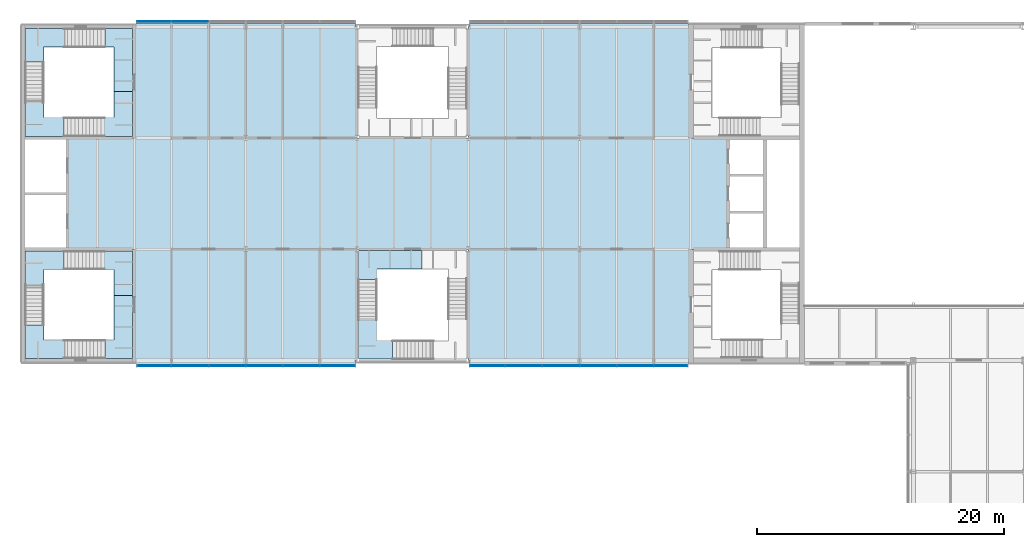
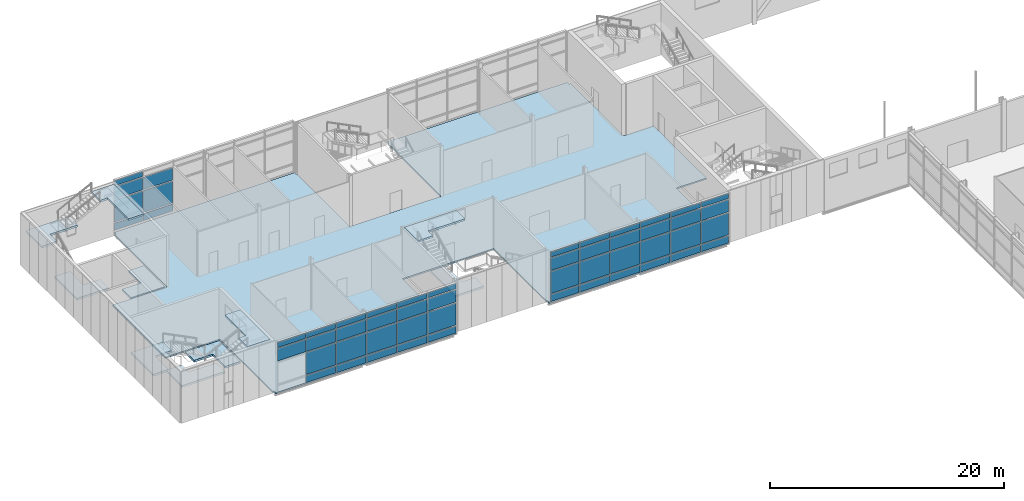
# One storey, part 31 of 56: 53 plates, 11 slabs, 6 elements without a shape of their own.
"""IFC4 building model written with IfcOpenShell, lengths in metres."""

from ifc_helpers import new_model, si_unit, direction, frame, origin, origin_2d, place, context, subcontext, project, spatial, polyline, rectangle, outline, extrude, material, layer, layer_set, type_object, element, aggregate, save


model = new_model("IFC4")

# Units and contexts
model_context = context("Model", 3, precision=1e-05, world=origin(), true_north=direction((0.0, 1.0)))
body_context = subcontext(model_context, "Body", "Model", "MODEL_VIEW")
ifc_project = project(units=[si_unit("LENGTHUNIT", "METRE"), si_unit("AREAUNIT", "SQUARE_METRE"), si_unit("VOLUMEUNIT", "CUBIC_METRE"), si_unit("PLANEANGLEUNIT", "RADIAN"), si_unit("MASSUNIT", "GRAM", prefix="KILO")], contexts=[model_context])

# Site, building, storey
site_placement = place(None, origin())
site = spatial("IfcSite", under=ifc_project, at=site_placement, CompositionType="ELEMENT")
building_placement = place(site_placement, origin())
building = spatial("IfcBuilding", under=site, at=building_placement, Name="Azimuth Sports and Learning Centre", CompositionType="ELEMENT")
storey_placement = place(building_placement, frame((0.0, 0.0, 5.39990234375)))
storey = spatial("IfcBuildingStorey", under=building, at=storey_placement, Name="L01", CompositionType="ELEMENT", Elevation=5.39990234375)

# Slab
ifc_material_1 = material(Name="Concrete C30/37", Category="concrete")
ifc_layer_1 = layer(ifc_material_1, 0.14990234375)
ifc_layer_set_1 = layer_set([ifc_layer_1], Name="Concrete C30/37")
slab_type_1 = type_object("IfcSlabType", Name="Composite floor slab 150", PredefinedType="FLOOR", material=ifc_layer_set_1)
slab_1_placement = place(storey_placement, frame((0.0, 0.0, -0.14990234375)))
element("IfcSlab", 1, at=slab_1_placement, inside=storey, type_object=slab_type_1, Name="Slab West wing L01", PredefinedType="FLOOR", context=body_context, shape_type="SweptSolid", body=[
    extrude(outline(polyline([(9.14990234375, 89.699951171875), (26.89990234375, 89.699951171875), (26.89990234375, 90.0), (27.0, 90.0), (27.0, 99.0), (36.0, 99.0), (36.0, 90.0), (36.10009765625, 90.0), (36.10009765625, 89.699951171875), (53.800048828125, 89.699951171875), (53.800048828125, 90.0), (54.0, 90.0), (54.0, 99.0), (57.0, 99.0), (57.0, 108.0), (54.0, 108.0), (54.0, 117.0), (53.800048828125, 117.0), (53.800048828125, 117.300048828125), (36.10009765625, 117.300048828125), (36.10009765625, 117.0), (36.0, 117.0), (36.0, 108.0), (27.0, 108.0), (27.0, 117.0), (26.89990234375, 117.0), (26.89990234375, 117.300048828125), (9.14990234375, 117.300048828125), (9.14990234375, 117.0), (9.0, 117.0), (9.0, 108.0), (3.60009765625, 108.0), (3.60009765625, 99.0), (9.0, 99.0), (9.0, 90.0), (9.14990234375, 90.0), (9.14990234375, 89.699951171875)])), origin(), (0.0, 0.0, 1.0), 0.14990234375),
])

# Stair, slabs
ifc_material_2 = material(Name="Concrete C32/40", Category="concrete")
stair_type_1 = type_object("IfcStairType", Name="Square-well stair end core 5400 storey", PredefinedType="THREE_QUARTER_TURN_STAIR", material=ifc_material_2)
stair_1_placement = place(storey_placement, origin())
stair_1 = element("IfcStair", 2, at=stair_1_placement, inside=storey, type_object=stair_type_1, Name="Stair WW1 L01-L02", PredefinedType="THREE_QUARTER_TURN_STAIR")
ifc_material_3 = material(Name="Concrete C32/40", Category="concrete")
ifc_layer_2 = layer(ifc_material_3, 0.199951171875)
ifc_layer_set_2 = layer_set([ifc_layer_2], Name="Concrete C32/40")
slab_type_2 = type_object("IfcSlabType", Name="Concrete stair landing", PredefinedType="LANDING", material=ifc_layer_set_2)
slab_2_placement = place(storey_placement, frame((0.0, 0.0, -0.199951171875)))
slab_2 = element("IfcSlab", 3, at=slab_2_placement, type_object=slab_type_2, Name="Stair WW1 L01 landing 1", PredefinedType="LANDING", context=body_context, shape_type="SweptSolid", body=[
    extrude(outline(polyline([(5.489990234375, 97.364990234375), (7.340087890625, 97.364990234375), (7.340087890625, 95.25), (8.840087890625, 95.25), (8.840087890625, 98.864990234375), (5.489990234375, 98.864990234375), (5.489990234375, 97.364990234375)])), origin(), (0.0, 0.0, 1.0), 0.199951171875),
])
slab_3_placement = place(storey_placement, frame((0.0, 0.0, 1.60009765625)))
slab_3 = element("IfcSlab", 4, at=slab_3_placement, type_object=slab_type_2, Name="Stair WW1 L01 landing 2", PredefinedType="LANDING", context=body_context, shape_type="SweptSolid", body=[
    extrude(outline(polyline([(1.659912109375, 97.364990234375), (3.290771484375, 97.364990234375), (3.290771484375, 98.864990234375), (0.159912109375, 98.864990234375), (0.159912109375, 95.06494140625), (1.659912109375, 95.06494140625), (1.659912109375, 97.364990234375)])), origin(), (0.0, 0.0, 1.0), 0.199951171875),
])
slab_4_placement = place(storey_placement, frame((0.0, 0.0, 3.400146484375)))
slab_4 = element("IfcSlab", 5, at=slab_4_placement, type_object=slab_type_2, Name="Stair WW1 L01 landing 3", PredefinedType="LANDING", context=body_context, shape_type="SweptSolid", body=[
    extrude(outline(polyline([(1.659912109375, 91.659912109375), (1.659912109375, 92.86572265625), (0.159912109375, 92.86572265625), (0.159912109375, 90.159912109375), (4.409912109375, 90.159912109375), (4.409912109375, 91.659912109375), (1.659912109375, 91.659912109375)])), origin(), (0.0, 0.0, 1.0), 0.199951171875),
])
slab_5_placement = place(storey_placement, frame((0.0, 0.0, 5.2001953125)))
slab_5 = element("IfcSlab", 6, at=slab_5_placement, type_object=slab_type_2, Name="Stair WW1 L01 landing 4", PredefinedType="LANDING", context=body_context, shape_type="SweptSolid", body=[
    extrude(outline(polyline([(7.340087890625, 91.659912109375), (6.609375, 91.659912109375), (6.609375, 90.159912109375), (8.840087890625, 90.159912109375), (8.840087890625, 95.25), (7.340087890625, 95.25), (7.340087890625, 91.659912109375)])), origin(), (0.0, 0.0, 1.0), 0.199951171875),
])
aggregate(stair_1, [slab_2, slab_3, slab_4, slab_5])

stair_2_placement = place(storey_placement, origin())
stair_2 = element("IfcStair", 7, at=stair_2_placement, inside=storey, type_object=stair_type_1, Name="Stair WW2 L01-L02", PredefinedType="THREE_QUARTER_TURN_STAIR")
slab_6_placement = place(storey_placement, frame((0.0, 0.0, -0.199951171875)))
slab_6 = element("IfcSlab", 8, at=slab_6_placement, type_object=slab_type_2, Name="Stair WW2 L01 landing 1", PredefinedType="LANDING", context=body_context, shape_type="SweptSolid", body=[
    extrude(outline(polyline([(8.840087890625, 108.135009765625), (8.840087890625, 111.75), (7.340087890625, 111.75), (7.340087890625, 109.635009765625), (5.489990234375, 109.635009765625), (5.489990234375, 108.135009765625), (8.840087890625, 108.135009765625)])), origin(), (0.0, 0.0, 1.0), 0.199951171875),
])
slab_7_placement = place(storey_placement, frame((0.0, 0.0, 1.60009765625)))
slab_7 = element("IfcSlab", 9, at=slab_7_placement, type_object=slab_type_2, Name="Stair WW2 L01 landing 2", PredefinedType="LANDING", context=body_context, shape_type="SweptSolid", body=[
    extrude(outline(polyline([(1.659912109375, 109.635009765625), (1.659912109375, 111.93505859375), (0.159912109375, 111.93505859375), (0.159912109375, 108.135009765625), (3.290771484375, 108.135009765625), (3.290771484375, 109.635009765625), (1.659912109375, 109.635009765625)])), origin(), (0.0, 0.0, 1.0), 0.199951171875),
])
slab_8_placement = place(storey_placement, frame((0.0, 0.0, 3.400146484375)))
slab_8 = element("IfcSlab", 10, at=slab_8_placement, type_object=slab_type_2, Name="Stair WW2 L01 landing 3", PredefinedType="LANDING", context=body_context, shape_type="SweptSolid", body=[
    extrude(outline(polyline([(1.659912109375, 115.340087890625), (4.409912109375, 115.340087890625), (4.409912109375, 116.840087890625), (0.159912109375, 116.840087890625), (0.159912109375, 114.13427734375), (1.659912109375, 114.13427734375), (1.659912109375, 115.340087890625)])), origin(), (0.0, 0.0, 1.0), 0.199951171875),
])
slab_9_placement = place(storey_placement, frame((0.0, 0.0, 5.2001953125)))
slab_9 = element("IfcSlab", 11, at=slab_9_placement, type_object=slab_type_2, Name="Stair WW2 L01 landing 4", PredefinedType="LANDING", context=body_context, shape_type="SweptSolid", body=[
    extrude(outline(polyline([(7.340087890625, 115.340087890625), (7.340087890625, 111.75), (8.840087890625, 111.75), (8.840087890625, 116.840087890625), (6.609375, 116.840087890625), (6.609375, 115.340087890625), (7.340087890625, 115.340087890625)])), origin(), (0.0, 0.0, 1.0), 0.199951171875),
])
aggregate(stair_2, [slab_6, slab_7, slab_8, slab_9])

ifc_material_4 = material(Name="Concrete C32/40", Category="concrete")
stair_type_2 = type_object("IfcStairType", Name="Square-well stair mid-wing cell 5400 storey", PredefinedType="THREE_QUARTER_TURN_STAIR", material=ifc_material_4)
stair_3_placement = place(storey_placement, origin())
stair_3 = element("IfcStair", 12, at=stair_3_placement, inside=storey, type_object=stair_type_2, Name="Stair WM1 L01-L02", PredefinedType="THREE_QUARTER_TURN_STAIR")
slab_10_placement = place(storey_placement, frame((0.0, 0.0, 3.400146484375)))
slab_10 = element("IfcSlab", 13, at=slab_10_placement, type_object=slab_type_2, Name="Stair WM1 L01 landing 3", PredefinedType="LANDING", context=body_context, shape_type="SweptSolid", body=[
    extrude(outline(polyline([(28.610107421875, 91.610107421875), (28.610107421875, 94.360107421875), (27.110107421875, 94.360107421875), (27.110107421875, 90.110107421875), (29.890625, 90.110107421875), (29.890625, 91.610107421875), (28.610107421875, 91.610107421875)])), origin(), (0.0, 0.0, 1.0), 0.199951171875),
])
slab_11_placement = place(storey_placement, frame((0.0, 0.0, 5.2001953125)))
slab_11 = element("IfcSlab", 14, at=slab_11_placement, type_object=slab_type_2, Name="Stair WM1 L01 landing 4", PredefinedType="LANDING", context=body_context, shape_type="SweptSolid", body=[
    extrude(outline(polyline([(28.610107421875, 97.389892578125), (32.25, 97.389892578125), (32.25, 98.889892578125), (27.110107421875, 98.889892578125), (27.110107421875, 96.559326171875), (28.610107421875, 96.559326171875), (28.610107421875, 97.389892578125)])), origin(), (0.0, 0.0, 1.0), 0.199951171875),
])
aggregate(stair_3, [slab_10, slab_11])

# Curtain wall, plates
ifc_material_5 = material(Name="Aluminium and glass", Category="aluminium")
curtain_wall_type = type_object("IfcCurtainWallType", Name="Curtain wall podium wing 240", PredefinedType="NOTDEFINED", material=ifc_material_5)
curtain_wall_1_placement = place(storey_placement, origin())
curtain_wall_1 = element("IfcCurtainWall", 15, at=curtain_wall_1_placement, inside=storey, type_object=curtain_wall_type, Name="Curtain wall CW01-001", PredefinedType="NOTDEFINED")
ifc_material_6 = material(Name="Insulated aluminium panel", Category="aluminium")
ifc_layer_3 = layer(ifc_material_6, 0.06005859375)
ifc_layer_set_3 = layer_set([ifc_layer_3], Name="Insulated aluminium panel")
plate_type_1 = type_object("IfcPlateType", Name="Spandrel panel 60 mm", PredefinedType="CURTAIN_PANEL", material=ifc_layer_set_3)
plate_1_placement = place(storey_placement, frame((10.594970703125, 89.580078125, 4.760009765625), z_axis=(0.0, 0.0, 1.0), x_axis=(1.0, 0.0, 0.0)))
plate_1 = element("IfcPlate", 16, at=plate_1_placement, type_object=plate_type_1, Name="CW01-001 panel 1.4", PredefinedType="CURTAIN_PANEL", context=body_context, shape_type="SweptSolid", body=[
    extrude(rectangle(XDim=2.72998046875, YDim=0.06005859375, at=origin_2d()), origin(), (0.0, 0.0, 1.0), 0.52001953125),
])
plate_2_placement = place(storey_placement, frame((13.5, 89.580078125, 0.1201171875), z_axis=(0.0, 0.0, 1.0), x_axis=(1.0, 0.0, 0.0)))
plate_2 = element("IfcPlate", 17, at=plate_2_placement, type_object=plate_type_1, Name="CW01-001 panel 2.1", PredefinedType="CURTAIN_PANEL", context=body_context, shape_type="SweptSolid", body=[
    extrude(rectangle(XDim=2.919921875, YDim=0.06005859375, at=origin_2d()), origin(), (0.0, 0.0, 1.0), 0.719970703125),
])
plate_3_placement = place(storey_placement, frame((13.5, 89.580078125, 4.760009765625), z_axis=(0.0, 0.0, 1.0), x_axis=(1.0, 0.0, 0.0)))
plate_3 = element("IfcPlate", 18, at=plate_3_placement, type_object=plate_type_1, Name="CW01-001 panel 2.4", PredefinedType="CURTAIN_PANEL", context=body_context, shape_type="SweptSolid", body=[
    extrude(rectangle(XDim=2.919921875, YDim=0.06005859375, at=origin_2d()), origin(), (0.0, 0.0, 1.0), 0.52001953125),
])
plate_4_placement = place(storey_placement, frame((16.5, 89.580078125, 0.1201171875), z_axis=(0.0, 0.0, 1.0), x_axis=(1.0, 0.0, 0.0)))
plate_4 = element("IfcPlate", 19, at=plate_4_placement, type_object=plate_type_1, Name="CW01-001 panel 3.1", PredefinedType="CURTAIN_PANEL", context=body_context, shape_type="SweptSolid", body=[
    extrude(rectangle(XDim=2.919921875, YDim=0.06005859375, at=origin_2d()), origin(), (0.0, 0.0, 1.0), 0.719970703125),
])
plate_5_placement = place(storey_placement, frame((16.5, 89.580078125, 4.760009765625), z_axis=(0.0, 0.0, 1.0), x_axis=(1.0, 0.0, 0.0)))
plate_5 = element("IfcPlate", 20, at=plate_5_placement, type_object=plate_type_1, Name="CW01-001 panel 3.4", PredefinedType="CURTAIN_PANEL", context=body_context, shape_type="SweptSolid", body=[
    extrude(rectangle(XDim=2.919921875, YDim=0.06005859375, at=origin_2d()), origin(), (0.0, 0.0, 1.0), 0.52001953125),
])
plate_6_placement = place(storey_placement, frame((19.5, 89.580078125, 0.1201171875), z_axis=(0.0, 0.0, 1.0), x_axis=(1.0, 0.0, 0.0)))
plate_6 = element("IfcPlate", 21, at=plate_6_placement, type_object=plate_type_1, Name="CW01-001 panel 4.1", PredefinedType="CURTAIN_PANEL", context=body_context, shape_type="SweptSolid", body=[
    extrude(rectangle(XDim=2.919921875, YDim=0.06005859375, at=origin_2d()), origin(), (0.0, 0.0, 1.0), 0.719970703125),
])
plate_7_placement = place(storey_placement, frame((19.5, 89.580078125, 4.760009765625), z_axis=(0.0, 0.0, 1.0), x_axis=(1.0, 0.0, 0.0)))
plate_7 = element("IfcPlate", 22, at=plate_7_placement, type_object=plate_type_1, Name="CW01-001 panel 4.4", PredefinedType="CURTAIN_PANEL", context=body_context, shape_type="SweptSolid", body=[
    extrude(rectangle(XDim=2.919921875, YDim=0.06005859375, at=origin_2d()), origin(), (0.0, 0.0, 1.0), 0.52001953125),
])
plate_8_placement = place(storey_placement, frame((22.5, 89.580078125, 0.1201171875), z_axis=(0.0, 0.0, 1.0), x_axis=(1.0, 0.0, 0.0)))
plate_8 = element("IfcPlate", 23, at=plate_8_placement, type_object=plate_type_1, Name="CW01-001 panel 5.1", PredefinedType="CURTAIN_PANEL", context=body_context, shape_type="SweptSolid", body=[
    extrude(rectangle(XDim=2.919921875, YDim=0.06005859375, at=origin_2d()), origin(), (0.0, 0.0, 1.0), 0.719970703125),
])
plate_9_placement = place(storey_placement, frame((22.5, 89.580078125, 4.760009765625), z_axis=(0.0, 0.0, 1.0), x_axis=(1.0, 0.0, 0.0)))
plate_9 = element("IfcPlate", 24, at=plate_9_placement, type_object=plate_type_1, Name="CW01-001 panel 5.4", PredefinedType="CURTAIN_PANEL", context=body_context, shape_type="SweptSolid", body=[
    extrude(rectangle(XDim=2.919921875, YDim=0.06005859375, at=origin_2d()), origin(), (0.0, 0.0, 1.0), 0.52001953125),
])
plate_10_placement = place(storey_placement, frame((25.429931640625, 89.580078125, 0.1201171875), z_axis=(0.0, 0.0, 1.0), x_axis=(1.0, 0.0, 0.0)))
plate_10 = element("IfcPlate", 25, at=plate_10_placement, type_object=plate_type_1, Name="CW01-001 panel 6.1", PredefinedType="CURTAIN_PANEL", context=body_context, shape_type="SweptSolid", body=[
    extrude(rectangle(XDim=2.780029296875, YDim=0.06005859375, at=origin_2d()), origin(), (0.0, 0.0, 1.0), 0.719970703125),
])
plate_11_placement = place(storey_placement, frame((25.429931640625, 89.580078125, 4.760009765625), z_axis=(0.0, 0.0, 1.0), x_axis=(1.0, 0.0, 0.0)))
plate_11 = element("IfcPlate", 26, at=plate_11_placement, type_object=plate_type_1, Name="CW01-001 panel 6.4", PredefinedType="CURTAIN_PANEL", context=body_context, shape_type="SweptSolid", body=[
    extrude(rectangle(XDim=2.780029296875, YDim=0.06005859375, at=origin_2d()), origin(), (0.0, 0.0, 1.0), 0.52001953125),
])

curtain_wall_2_placement = place(storey_placement, origin())
curtain_wall_2 = element("IfcCurtainWall", 27, at=curtain_wall_2_placement, inside=storey, type_object=curtain_wall_type, Name="Curtain wall CW01-002", PredefinedType="NOTDEFINED")
plate_12_placement = place(storey_placement, frame((37.570068359375, 89.580078125, 0.1201171875), z_axis=(0.0, 0.0, 1.0), x_axis=(1.0, 0.0, 0.0)))
plate_12 = element("IfcPlate", 28, at=plate_12_placement, type_object=plate_type_1, Name="CW01-002 panel 1.1", PredefinedType="CURTAIN_PANEL", context=body_context, shape_type="SweptSolid", body=[
    extrude(rectangle(XDim=2.780029296875, YDim=0.06005859375, at=origin_2d()), origin(), (0.0, 0.0, 1.0), 0.719970703125),
])
plate_13_placement = place(storey_placement, frame((37.570068359375, 89.580078125, 4.760009765625), z_axis=(0.0, 0.0, 1.0), x_axis=(1.0, 0.0, 0.0)))
plate_13 = element("IfcPlate", 29, at=plate_13_placement, type_object=plate_type_1, Name="CW01-002 panel 1.4", PredefinedType="CURTAIN_PANEL", context=body_context, shape_type="SweptSolid", body=[
    extrude(rectangle(XDim=2.780029296875, YDim=0.06005859375, at=origin_2d()), origin(), (0.0, 0.0, 1.0), 0.52001953125),
])
plate_14_placement = place(storey_placement, frame((40.5, 89.580078125, 0.1201171875), z_axis=(0.0, 0.0, 1.0), x_axis=(1.0, 0.0, 0.0)))
plate_14 = element("IfcPlate", 30, at=plate_14_placement, type_object=plate_type_1, Name="CW01-002 panel 2.1", PredefinedType="CURTAIN_PANEL", context=body_context, shape_type="SweptSolid", body=[
    extrude(rectangle(XDim=2.919921875, YDim=0.06005859375, at=origin_2d()), origin(), (0.0, 0.0, 1.0), 0.719970703125),
])
plate_15_placement = place(storey_placement, frame((40.5, 89.580078125, 4.760009765625), z_axis=(0.0, 0.0, 1.0), x_axis=(1.0, 0.0, 0.0)))
plate_15 = element("IfcPlate", 31, at=plate_15_placement, type_object=plate_type_1, Name="CW01-002 panel 2.4", PredefinedType="CURTAIN_PANEL", context=body_context, shape_type="SweptSolid", body=[
    extrude(rectangle(XDim=2.919921875, YDim=0.06005859375, at=origin_2d()), origin(), (0.0, 0.0, 1.0), 0.52001953125),
])
plate_16_placement = place(storey_placement, frame((43.5, 89.580078125, 0.1201171875), z_axis=(0.0, 0.0, 1.0), x_axis=(1.0, 0.0, 0.0)))
plate_16 = element("IfcPlate", 32, at=plate_16_placement, type_object=plate_type_1, Name="CW01-002 panel 3.1", PredefinedType="CURTAIN_PANEL", context=body_context, shape_type="SweptSolid", body=[
    extrude(rectangle(XDim=2.919921875, YDim=0.06005859375, at=origin_2d()), origin(), (0.0, 0.0, 1.0), 0.719970703125),
])
plate_17_placement = place(storey_placement, frame((43.5, 89.580078125, 4.760009765625), z_axis=(0.0, 0.0, 1.0), x_axis=(1.0, 0.0, 0.0)))
plate_17 = element("IfcPlate", 33, at=plate_17_placement, type_object=plate_type_1, Name="CW01-002 panel 3.4", PredefinedType="CURTAIN_PANEL", context=body_context, shape_type="SweptSolid", body=[
    extrude(rectangle(XDim=2.919921875, YDim=0.06005859375, at=origin_2d()), origin(), (0.0, 0.0, 1.0), 0.52001953125),
])
plate_18_placement = place(storey_placement, frame((46.5, 89.580078125, 0.1201171875), z_axis=(0.0, 0.0, 1.0), x_axis=(1.0, 0.0, 0.0)))
plate_18 = element("IfcPlate", 34, at=plate_18_placement, type_object=plate_type_1, Name="CW01-002 panel 4.1", PredefinedType="CURTAIN_PANEL", context=body_context, shape_type="SweptSolid", body=[
    extrude(rectangle(XDim=2.919921875, YDim=0.06005859375, at=origin_2d()), origin(), (0.0, 0.0, 1.0), 0.719970703125),
])
plate_19_placement = place(storey_placement, frame((46.5, 89.580078125, 4.760009765625), z_axis=(0.0, 0.0, 1.0), x_axis=(1.0, 0.0, 0.0)))
plate_19 = element("IfcPlate", 35, at=plate_19_placement, type_object=plate_type_1, Name="CW01-002 panel 4.4", PredefinedType="CURTAIN_PANEL", context=body_context, shape_type="SweptSolid", body=[
    extrude(rectangle(XDim=2.919921875, YDim=0.06005859375, at=origin_2d()), origin(), (0.0, 0.0, 1.0), 0.52001953125),
])
plate_20_placement = place(storey_placement, frame((49.5, 89.580078125, 0.1201171875), z_axis=(0.0, 0.0, 1.0), x_axis=(1.0, 0.0, 0.0)))
plate_20 = element("IfcPlate", 36, at=plate_20_placement, type_object=plate_type_1, Name="CW01-002 panel 5.1", PredefinedType="CURTAIN_PANEL", context=body_context, shape_type="SweptSolid", body=[
    extrude(rectangle(XDim=2.919921875, YDim=0.06005859375, at=origin_2d()), origin(), (0.0, 0.0, 1.0), 0.719970703125),
])
plate_21_placement = place(storey_placement, frame((49.5, 89.580078125, 4.760009765625), z_axis=(0.0, 0.0, 1.0), x_axis=(1.0, 0.0, 0.0)))
plate_21 = element("IfcPlate", 37, at=plate_21_placement, type_object=plate_type_1, Name="CW01-002 panel 5.4", PredefinedType="CURTAIN_PANEL", context=body_context, shape_type="SweptSolid", body=[
    extrude(rectangle(XDim=2.919921875, YDim=0.06005859375, at=origin_2d()), origin(), (0.0, 0.0, 1.0), 0.52001953125),
])
plate_22_placement = place(storey_placement, frame((52.3798828125, 89.580078125, 0.1201171875), z_axis=(0.0, 0.0, 1.0), x_axis=(1.0, 0.0, 0.0)))
plate_22 = element("IfcPlate", 38, at=plate_22_placement, type_object=plate_type_1, Name="CW01-002 panel 6.1", PredefinedType="CURTAIN_PANEL", context=body_context, shape_type="SweptSolid", body=[
    extrude(rectangle(XDim=2.679931640625, YDim=0.06005859375, at=origin_2d()), origin(), (0.0, 0.0, 1.0), 0.719970703125),
])
plate_23_placement = place(storey_placement, frame((52.3798828125, 89.580078125, 4.760009765625), z_axis=(0.0, 0.0, 1.0), x_axis=(1.0, 0.0, 0.0)))
plate_23 = element("IfcPlate", 39, at=plate_23_placement, type_object=plate_type_1, Name="CW01-002 panel 6.4", PredefinedType="CURTAIN_PANEL", context=body_context, shape_type="SweptSolid", body=[
    extrude(rectangle(XDim=2.679931640625, YDim=0.06005859375, at=origin_2d()), origin(), (0.0, 0.0, 1.0), 0.52001953125),
])

curtain_wall_3_placement = place(storey_placement, origin())
curtain_wall_3 = element("IfcCurtainWall", 40, at=curtain_wall_3_placement, inside=storey, type_object=curtain_wall_type, Name="Curtain wall CW01-014", PredefinedType="NOTDEFINED")
plate_24_placement = place(storey_placement, frame((13.5, 117.419921875, 0.1201171875), z_axis=(0.0, 0.0, 1.0), x_axis=(-1.0, 0.0, 0.0)))
plate_24 = element("IfcPlate", 41, at=plate_24_placement, type_object=plate_type_1, Name="CW01-014 panel 5.1", PredefinedType="CURTAIN_PANEL", context=body_context, shape_type="SweptSolid", body=[
    extrude(rectangle(XDim=2.919921875, YDim=0.06005859375, at=origin_2d()), origin(), (0.0, 0.0, 1.0), 0.719970703125),
])
plate_25_placement = place(storey_placement, frame((10.594970703125, 117.419921875, 0.1201171875), z_axis=(0.0, 0.0, 1.0), x_axis=(-1.0, 0.0, 0.0)))
plate_25 = element("IfcPlate", 42, at=plate_25_placement, type_object=plate_type_1, Name="CW01-014 panel 6.1", PredefinedType="CURTAIN_PANEL", context=body_context, shape_type="SweptSolid", body=[
    extrude(rectangle(XDim=2.72998046875, YDim=0.06005859375, at=origin_2d()), origin(), (0.0, 0.0, 1.0), 0.719970703125),
])
plate_26_placement = place(storey_placement, frame((10.594970703125, 117.419921875, 4.760009765625), z_axis=(0.0, 0.0, 1.0), x_axis=(-1.0, 0.0, 0.0)))
plate_26 = element("IfcPlate", 43, at=plate_26_placement, type_object=plate_type_1, Name="CW01-014 panel 6.4", PredefinedType="CURTAIN_PANEL", context=body_context, shape_type="SweptSolid", body=[
    extrude(rectangle(XDim=2.72998046875, YDim=0.06005859375, at=origin_2d()), origin(), (0.0, 0.0, 1.0), 0.52001953125),
])

# Plate
ifc_material_7 = material(Name="Glass", Category="glass")
ifc_layer_4 = layer(ifc_material_7, 0.0439453125)
ifc_layer_set_4 = layer_set([ifc_layer_4], Name="Glass")
plate_type_2 = type_object("IfcPlateType", Name="Vision glass 44 mm", PredefinedType="CURTAIN_PANEL", material=ifc_layer_set_4)
plate_27_placement = place(storey_placement, frame((10.594970703125, 89.580078125, 3.35986328125), z_axis=(0.0, 0.0, 1.0), x_axis=(1.0, 0.0, 0.0)))
plate_27 = element("IfcPlate", 44, at=plate_27_placement, type_object=plate_type_2, Name="CW01-001 panel 1.3", PredefinedType="CURTAIN_PANEL", context=body_context, shape_type="SweptSolid", body=[
    extrude(rectangle(XDim=2.72998046875, YDim=0.0439453125, at=origin_2d()), origin(), (0.0, 0.0, 1.0), 1.280029296875),
])

plate_28_placement = place(storey_placement, frame((13.5, 89.580078125, 0.9599609375), z_axis=(0.0, 0.0, 1.0), x_axis=(1.0, 0.0, 0.0)))
plate_28 = element("IfcPlate", 45, at=plate_28_placement, type_object=plate_type_2, Name="CW01-001 panel 2.2", PredefinedType="CURTAIN_PANEL", context=body_context, shape_type="SweptSolid", body=[
    extrude(rectangle(XDim=2.919921875, YDim=0.0439453125, at=origin_2d()), origin(), (0.0, 0.0, 1.0), 2.280029296875),
])

plate_29_placement = place(storey_placement, frame((13.5, 89.580078125, 3.35986328125), z_axis=(0.0, 0.0, 1.0), x_axis=(1.0, 0.0, 0.0)))
plate_29 = element("IfcPlate", 46, at=plate_29_placement, type_object=plate_type_2, Name="CW01-001 panel 2.3", PredefinedType="CURTAIN_PANEL", context=body_context, shape_type="SweptSolid", body=[
    extrude(rectangle(XDim=2.919921875, YDim=0.0439453125, at=origin_2d()), origin(), (0.0, 0.0, 1.0), 1.280029296875),
])

plate_30_placement = place(storey_placement, frame((16.5, 89.580078125, 0.9599609375), z_axis=(0.0, 0.0, 1.0), x_axis=(1.0, 0.0, 0.0)))
plate_30 = element("IfcPlate", 47, at=plate_30_placement, type_object=plate_type_2, Name="CW01-001 panel 3.2", PredefinedType="CURTAIN_PANEL", context=body_context, shape_type="SweptSolid", body=[
    extrude(rectangle(XDim=2.919921875, YDim=0.0439453125, at=origin_2d()), origin(), (0.0, 0.0, 1.0), 2.280029296875),
])

plate_31_placement = place(storey_placement, frame((16.5, 89.580078125, 3.35986328125), z_axis=(0.0, 0.0, 1.0), x_axis=(1.0, 0.0, 0.0)))
plate_31 = element("IfcPlate", 48, at=plate_31_placement, type_object=plate_type_2, Name="CW01-001 panel 3.3", PredefinedType="CURTAIN_PANEL", context=body_context, shape_type="SweptSolid", body=[
    extrude(rectangle(XDim=2.919921875, YDim=0.0439453125, at=origin_2d()), origin(), (0.0, 0.0, 1.0), 1.280029296875),
])

plate_32_placement = place(storey_placement, frame((19.5, 89.580078125, 0.9599609375), z_axis=(0.0, 0.0, 1.0), x_axis=(1.0, 0.0, 0.0)))
plate_32 = element("IfcPlate", 49, at=plate_32_placement, type_object=plate_type_2, Name="CW01-001 panel 4.2", PredefinedType="CURTAIN_PANEL", context=body_context, shape_type="SweptSolid", body=[
    extrude(rectangle(XDim=2.919921875, YDim=0.0439453125, at=origin_2d()), origin(), (0.0, 0.0, 1.0), 2.280029296875),
])

plate_33_placement = place(storey_placement, frame((19.5, 89.580078125, 3.35986328125), z_axis=(0.0, 0.0, 1.0), x_axis=(1.0, 0.0, 0.0)))
plate_33 = element("IfcPlate", 50, at=plate_33_placement, type_object=plate_type_2, Name="CW01-001 panel 4.3", PredefinedType="CURTAIN_PANEL", context=body_context, shape_type="SweptSolid", body=[
    extrude(rectangle(XDim=2.919921875, YDim=0.0439453125, at=origin_2d()), origin(), (0.0, 0.0, 1.0), 1.280029296875),
])

plate_34_placement = place(storey_placement, frame((22.5, 89.580078125, 0.9599609375), z_axis=(0.0, 0.0, 1.0), x_axis=(1.0, 0.0, 0.0)))
plate_34 = element("IfcPlate", 51, at=plate_34_placement, type_object=plate_type_2, Name="CW01-001 panel 5.2", PredefinedType="CURTAIN_PANEL", context=body_context, shape_type="SweptSolid", body=[
    extrude(rectangle(XDim=2.919921875, YDim=0.0439453125, at=origin_2d()), origin(), (0.0, 0.0, 1.0), 2.280029296875),
])

plate_35_placement = place(storey_placement, frame((22.5, 89.580078125, 3.35986328125), z_axis=(0.0, 0.0, 1.0), x_axis=(1.0, 0.0, 0.0)))
plate_35 = element("IfcPlate", 52, at=plate_35_placement, type_object=plate_type_2, Name="CW01-001 panel 5.3", PredefinedType="CURTAIN_PANEL", context=body_context, shape_type="SweptSolid", body=[
    extrude(rectangle(XDim=2.919921875, YDim=0.0439453125, at=origin_2d()), origin(), (0.0, 0.0, 1.0), 1.280029296875),
])

plate_36_placement = place(storey_placement, frame((25.429931640625, 89.580078125, 0.9599609375), z_axis=(0.0, 0.0, 1.0), x_axis=(1.0, 0.0, 0.0)))
plate_36 = element("IfcPlate", 53, at=plate_36_placement, type_object=plate_type_2, Name="CW01-001 panel 6.2", PredefinedType="CURTAIN_PANEL", context=body_context, shape_type="SweptSolid", body=[
    extrude(rectangle(XDim=2.780029296875, YDim=0.0439453125, at=origin_2d()), origin(), (0.0, 0.0, 1.0), 2.280029296875),
])

plate_37_placement = place(storey_placement, frame((25.429931640625, 89.580078125, 3.35986328125), z_axis=(0.0, 0.0, 1.0), x_axis=(1.0, 0.0, 0.0)))
plate_37 = element("IfcPlate", 54, at=plate_37_placement, type_object=plate_type_2, Name="CW01-001 panel 6.3", PredefinedType="CURTAIN_PANEL", context=body_context, shape_type="SweptSolid", body=[
    extrude(rectangle(XDim=2.780029296875, YDim=0.0439453125, at=origin_2d()), origin(), (0.0, 0.0, 1.0), 1.280029296875),
])

aggregate(curtain_wall_1, [plate_27, plate_1, plate_2, plate_28, plate_29, plate_3, plate_4, plate_30, plate_31, plate_5, plate_6, plate_32, plate_33, plate_7, plate_8, plate_34, plate_35, plate_9, plate_10, plate_36, plate_37, plate_11])

plate_38_placement = place(storey_placement, frame((37.570068359375, 89.580078125, 0.9599609375), z_axis=(0.0, 0.0, 1.0), x_axis=(1.0, 0.0, 0.0)))
plate_38 = element("IfcPlate", 55, at=plate_38_placement, type_object=plate_type_2, Name="CW01-002 panel 1.2", PredefinedType="CURTAIN_PANEL", context=body_context, shape_type="SweptSolid", body=[
    extrude(rectangle(XDim=2.780029296875, YDim=0.0439453125, at=origin_2d()), origin(), (0.0, 0.0, 1.0), 2.280029296875),
])

plate_39_placement = place(storey_placement, frame((37.570068359375, 89.580078125, 3.35986328125), z_axis=(0.0, 0.0, 1.0), x_axis=(1.0, 0.0, 0.0)))
plate_39 = element("IfcPlate", 56, at=plate_39_placement, type_object=plate_type_2, Name="CW01-002 panel 1.3", PredefinedType="CURTAIN_PANEL", context=body_context, shape_type="SweptSolid", body=[
    extrude(rectangle(XDim=2.780029296875, YDim=0.0439453125, at=origin_2d()), origin(), (0.0, 0.0, 1.0), 1.280029296875),
])

plate_40_placement = place(storey_placement, frame((40.5, 89.580078125, 0.9599609375), z_axis=(0.0, 0.0, 1.0), x_axis=(1.0, 0.0, 0.0)))
plate_40 = element("IfcPlate", 57, at=plate_40_placement, type_object=plate_type_2, Name="CW01-002 panel 2.2", PredefinedType="CURTAIN_PANEL", context=body_context, shape_type="SweptSolid", body=[
    extrude(rectangle(XDim=2.919921875, YDim=0.0439453125, at=origin_2d()), origin(), (0.0, 0.0, 1.0), 2.280029296875),
])

plate_41_placement = place(storey_placement, frame((40.5, 89.580078125, 3.35986328125), z_axis=(0.0, 0.0, 1.0), x_axis=(1.0, 0.0, 0.0)))
plate_41 = element("IfcPlate", 58, at=plate_41_placement, type_object=plate_type_2, Name="CW01-002 panel 2.3", PredefinedType="CURTAIN_PANEL", context=body_context, shape_type="SweptSolid", body=[
    extrude(rectangle(XDim=2.919921875, YDim=0.0439453125, at=origin_2d()), origin(), (0.0, 0.0, 1.0), 1.280029296875),
])

plate_42_placement = place(storey_placement, frame((43.5, 89.580078125, 0.9599609375), z_axis=(0.0, 0.0, 1.0), x_axis=(1.0, 0.0, 0.0)))
plate_42 = element("IfcPlate", 59, at=plate_42_placement, type_object=plate_type_2, Name="CW01-002 panel 3.2", PredefinedType="CURTAIN_PANEL", context=body_context, shape_type="SweptSolid", body=[
    extrude(rectangle(XDim=2.919921875, YDim=0.0439453125, at=origin_2d()), origin(), (0.0, 0.0, 1.0), 2.280029296875),
])

plate_43_placement = place(storey_placement, frame((43.5, 89.580078125, 3.35986328125), z_axis=(0.0, 0.0, 1.0), x_axis=(1.0, 0.0, 0.0)))
plate_43 = element("IfcPlate", 60, at=plate_43_placement, type_object=plate_type_2, Name="CW01-002 panel 3.3", PredefinedType="CURTAIN_PANEL", context=body_context, shape_type="SweptSolid", body=[
    extrude(rectangle(XDim=2.919921875, YDim=0.0439453125, at=origin_2d()), origin(), (0.0, 0.0, 1.0), 1.280029296875),
])

plate_44_placement = place(storey_placement, frame((46.5, 89.580078125, 0.9599609375), z_axis=(0.0, 0.0, 1.0), x_axis=(1.0, 0.0, 0.0)))
plate_44 = element("IfcPlate", 61, at=plate_44_placement, type_object=plate_type_2, Name="CW01-002 panel 4.2", PredefinedType="CURTAIN_PANEL", context=body_context, shape_type="SweptSolid", body=[
    extrude(rectangle(XDim=2.919921875, YDim=0.0439453125, at=origin_2d()), origin(), (0.0, 0.0, 1.0), 2.280029296875),
])

plate_45_placement = place(storey_placement, frame((46.5, 89.580078125, 3.35986328125), z_axis=(0.0, 0.0, 1.0), x_axis=(1.0, 0.0, 0.0)))
plate_45 = element("IfcPlate", 62, at=plate_45_placement, type_object=plate_type_2, Name="CW01-002 panel 4.3", PredefinedType="CURTAIN_PANEL", context=body_context, shape_type="SweptSolid", body=[
    extrude(rectangle(XDim=2.919921875, YDim=0.0439453125, at=origin_2d()), origin(), (0.0, 0.0, 1.0), 1.280029296875),
])

plate_46_placement = place(storey_placement, frame((49.5, 89.580078125, 0.9599609375), z_axis=(0.0, 0.0, 1.0), x_axis=(1.0, 0.0, 0.0)))
plate_46 = element("IfcPlate", 63, at=plate_46_placement, type_object=plate_type_2, Name="CW01-002 panel 5.2", PredefinedType="CURTAIN_PANEL", context=body_context, shape_type="SweptSolid", body=[
    extrude(rectangle(XDim=2.919921875, YDim=0.0439453125, at=origin_2d()), origin(), (0.0, 0.0, 1.0), 2.280029296875),
])

plate_47_placement = place(storey_placement, frame((49.5, 89.580078125, 3.35986328125), z_axis=(0.0, 0.0, 1.0), x_axis=(1.0, 0.0, 0.0)))
plate_47 = element("IfcPlate", 64, at=plate_47_placement, type_object=plate_type_2, Name="CW01-002 panel 5.3", PredefinedType="CURTAIN_PANEL", context=body_context, shape_type="SweptSolid", body=[
    extrude(rectangle(XDim=2.919921875, YDim=0.0439453125, at=origin_2d()), origin(), (0.0, 0.0, 1.0), 1.280029296875),
])

plate_48_placement = place(storey_placement, frame((52.3798828125, 89.580078125, 0.9599609375), z_axis=(0.0, 0.0, 1.0), x_axis=(1.0, 0.0, 0.0)))
plate_48 = element("IfcPlate", 65, at=plate_48_placement, type_object=plate_type_2, Name="CW01-002 panel 6.2", PredefinedType="CURTAIN_PANEL", context=body_context, shape_type="SweptSolid", body=[
    extrude(rectangle(XDim=2.679931640625, YDim=0.0439453125, at=origin_2d()), origin(), (0.0, 0.0, 1.0), 2.280029296875),
])

plate_49_placement = place(storey_placement, frame((52.3798828125, 89.580078125, 3.35986328125), z_axis=(0.0, 0.0, 1.0), x_axis=(1.0, 0.0, 0.0)))
plate_49 = element("IfcPlate", 66, at=plate_49_placement, type_object=plate_type_2, Name="CW01-002 panel 6.3", PredefinedType="CURTAIN_PANEL", context=body_context, shape_type="SweptSolid", body=[
    extrude(rectangle(XDim=2.679931640625, YDim=0.0439453125, at=origin_2d()), origin(), (0.0, 0.0, 1.0), 1.280029296875),
])

aggregate(curtain_wall_2, [plate_12, plate_38, plate_39, plate_13, plate_14, plate_40, plate_41, plate_15, plate_16, plate_42, plate_43, plate_17, plate_18, plate_44, plate_45, plate_19, plate_20, plate_46, plate_47, plate_21, plate_22, plate_48, plate_49, plate_23])

plate_50_placement = place(storey_placement, frame((13.5, 117.419921875, 0.9599609375), z_axis=(0.0, 0.0, 1.0), x_axis=(-1.0, 0.0, 0.0)))
plate_50 = element("IfcPlate", 67, at=plate_50_placement, type_object=plate_type_2, Name="CW01-014 panel 5.2", PredefinedType="CURTAIN_PANEL", context=body_context, shape_type="SweptSolid", body=[
    extrude(rectangle(XDim=2.919921875, YDim=0.0439453125, at=origin_2d()), origin(), (0.0, 0.0, 1.0), 2.280029296875),
])

plate_51_placement = place(storey_placement, frame((13.5, 117.419921875, 3.35986328125), z_axis=(0.0, 0.0, 1.0), x_axis=(-1.0, 0.0, 0.0)))
plate_51 = element("IfcPlate", 68, at=plate_51_placement, type_object=plate_type_2, Name="CW01-014 panel 5.3", PredefinedType="CURTAIN_PANEL", context=body_context, shape_type="SweptSolid", body=[
    extrude(rectangle(XDim=2.919921875, YDim=0.0439453125, at=origin_2d()), origin(), (0.0, 0.0, 1.0), 1.280029296875),
])

plate_52_placement = place(storey_placement, frame((10.594970703125, 117.419921875, 0.9599609375), z_axis=(0.0, 0.0, 1.0), x_axis=(-1.0, 0.0, 0.0)))
plate_52 = element("IfcPlate", 69, at=plate_52_placement, type_object=plate_type_2, Name="CW01-014 panel 6.2", PredefinedType="CURTAIN_PANEL", context=body_context, shape_type="SweptSolid", body=[
    extrude(rectangle(XDim=2.72998046875, YDim=0.0439453125, at=origin_2d()), origin(), (0.0, 0.0, 1.0), 2.280029296875),
])

plate_53_placement = place(storey_placement, frame((10.594970703125, 117.419921875, 3.35986328125), z_axis=(0.0, 0.0, 1.0), x_axis=(-1.0, 0.0, 0.0)))
plate_53 = element("IfcPlate", 70, at=plate_53_placement, type_object=plate_type_2, Name="CW01-014 panel 6.3", PredefinedType="CURTAIN_PANEL", context=body_context, shape_type="SweptSolid", body=[
    extrude(rectangle(XDim=2.72998046875, YDim=0.0439453125, at=origin_2d()), origin(), (0.0, 0.0, 1.0), 1.280029296875),
])

aggregate(curtain_wall_3, [plate_24, plate_50, plate_51, plate_25, plate_52, plate_53, plate_26])

save(model, "model.ifc")
